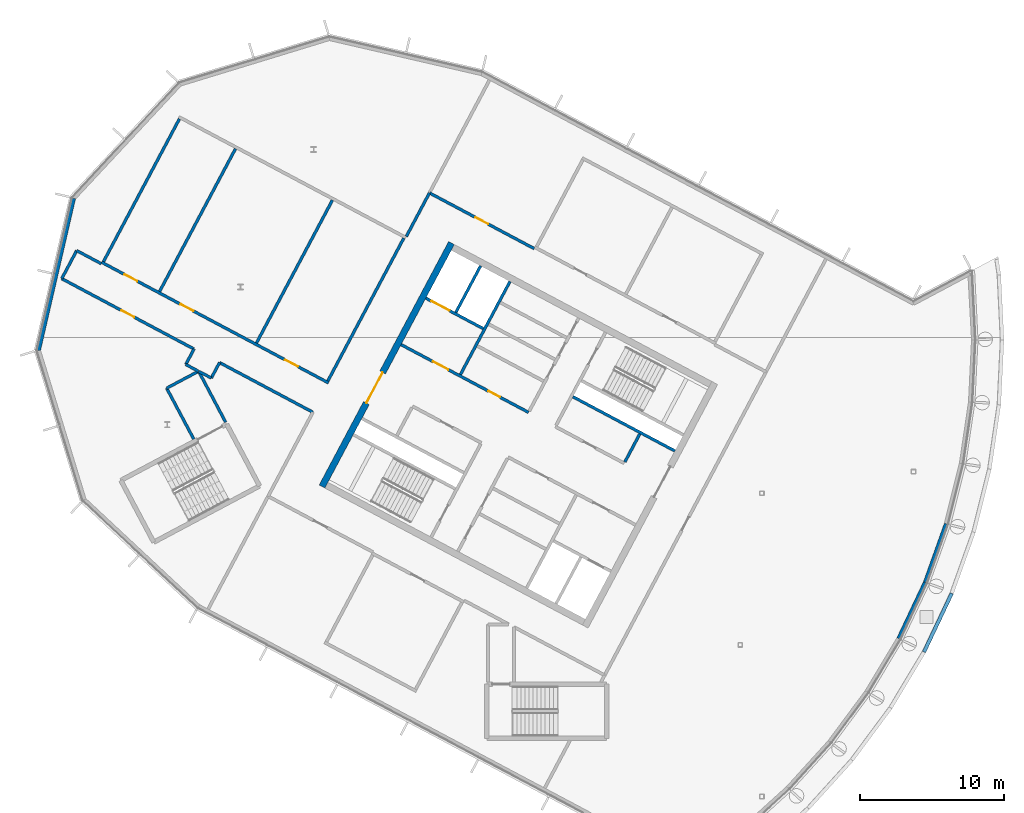
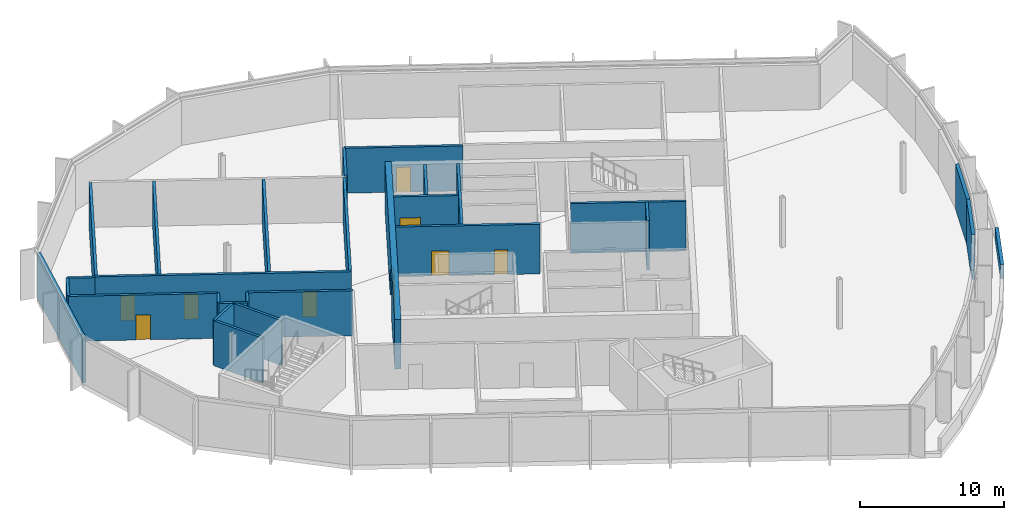
# One storey, part 7 of 15: 29 walls, 9 doors, 9 openings.
"""IFC4 building model written with IfcOpenShell, lengths in metres."""

import ifcopenshell
import ifcopenshell.guid

model = None  # the IFC model being written
_history = None  # IfcOwnerHistory: only IFC2X3 demands one
_inside = {}  # id of a spatial element -> (the spatial element, [elements in it])
_under = {}  # id of a project, library or spatial element -> (it, [spatial elements below it])
_declared = {}  # id of a project -> (the project, [libraries it declares])
_typed = {}  # id of a type object -> (the type object, [elements of that type])
_made_of = {}  # id of a material, layer set ... -> (it, [elements and type objects made of it])


def new_model(schema):
    """Start an empty IFC model of exactly this schema.

    Asked for "IFC4X3", IfcOpenShell would pick the latest addendum, in which some entities
    have other attributes; the version numbers below select the first issue.
    IFC2X3 requires an IfcOwnerHistory on every rooted entity: one is made here for all.
    """
    global model, _history
    if schema == "IFC4X3":
        model = ifcopenshell.file(schema_version=(4, 3, 0, 0))
    else:
        model = ifcopenshell.file(schema=schema)
    _inside.clear()
    _under.clear()
    _declared.clear()
    _typed.clear()
    _made_of.clear()
    _history = None
    if model.schema == "IFC2X3":
        org = make("IfcOrganization", Name="unknown")
        user = make(
            "IfcPersonAndOrganization",
            ThePerson=make("IfcPerson", FamilyName="unknown"),
            TheOrganization=org,
        )
        app = make(
            "IfcApplication",
            ApplicationDeveloper=org,
            Version="unknown",
            ApplicationFullName="unknown",
            ApplicationIdentifier="unknown",
        )
        _history = make(
            "IfcOwnerHistory",
            OwningUser=user,
            OwningApplication=app,
            ChangeAction="ADDED",
            CreationDate=0,
        )
    return model


def make(cls, **values):
    """One entity of the class cls with the attributes given. An attribute that is None is left unset."""
    return model.create_entity(
        cls, **{name: value for name, value in values.items() if value is not None}
    )


def rooted(cls, **values):
    """An entity with a GlobalId (a new one), such as an element, a storey or a relation."""
    return make(cls, GlobalId=ifcopenshell.guid.new(), OwnerHistory=_history, **values)


def si_unit(unit_type, name, prefix=None):
    """IfcSIUnit, for example si_unit("LENGTHUNIT", "METRE", prefix="MILLI")."""
    return make("IfcSIUnit", UnitType=unit_type, Prefix=prefix, Name=name)


def assignment(units):
    """IfcUnitAssignment: the units of a project."""
    return None if units is None else make("IfcUnitAssignment", Units=units)


def point(xyz):
    """IfcCartesianPoint."""
    return None if xyz is None else make("IfcCartesianPoint", Coordinates=xyz)


def direction(xyz):
    """IfcDirection."""
    return None if xyz is None else make("IfcDirection", DirectionRatios=xyz)


def frame(location, z_axis=None, x_axis=None):
    """IfcAxis2Placement3D, a coordinate frame: its origin and axes. An axis left out is left unset."""
    return make(
        "IfcAxis2Placement3D",
        Location=point(location),
        Axis=direction(z_axis),
        RefDirection=direction(x_axis),
    )


def frame_2d(location, x_axis=None):
    """IfcAxis2Placement2D, a coordinate frame in the plane: its origin and x axis."""
    return make(
        "IfcAxis2Placement2D", Location=point(location), RefDirection=direction(x_axis)
    )


def origin():
    """The frame at (0, 0, 0) with its axes left unset."""
    return frame((0.0, 0.0, 0.0))


def place(relative_to, where):
    """IfcLocalPlacement: puts the frame where relative to a parent placement (None: the world)."""
    return make(
        "IfcLocalPlacement", PlacementRelTo=relative_to, RelativePlacement=where
    )


def context(
    kind, dimensions, precision=None, world=None, true_north=None, identifier=None
):
    """IfcGeometricRepresentationContext, for example the 3D "Model" context."""
    return make(
        "IfcGeometricRepresentationContext",
        ContextIdentifier=identifier,
        ContextType=kind,
        CoordinateSpaceDimension=dimensions,
        Precision=precision,
        WorldCoordinateSystem=world,
        TrueNorth=true_north,
    )


def subcontext(parent, identifier, kind, view, scale=None):
    """IfcGeometricRepresentationSubContext, for example "Body" below "Model"."""
    return make(
        "IfcGeometricRepresentationSubContext",
        ContextIdentifier=identifier,
        ContextType=kind,
        ParentContext=parent,
        TargetScale=scale,
        TargetView=view,
    )


def project(units=None, contexts=None):
    """IfcProject with its units and contexts."""
    return rooted(
        "IfcProject",
        Name="project",
        RepresentationContexts=contexts,
        UnitsInContext=assignment(units),
    )


def spatial(cls, under=None, at=None, **own):
    """A site, building, storey or space (cls), placed at a placement, below another one or the project."""
    s = rooted(cls, ObjectPlacement=at, **own)
    if under is not None:
        _under.setdefault(under.id(), (under, []))[1].append(s)
    return s


def profile(cls, at=None, kind="AREA", **sizes):
    """A parametric profile (cls). Its sizes go by their IFC names, for example OverallWidth=200.0."""
    return make(cls, ProfileType=kind, Position=at, **sizes)


def rectangle(**sizes):
    """IfcRectangleProfileDef."""
    return profile("IfcRectangleProfileDef", **sizes)


def extrude(swept, where, along, depth):
    """IfcExtrudedAreaSolid: the profile swept, set in the frame where, extruded along a direction by depth."""
    return make(
        "IfcExtrudedAreaSolid",
        SweptArea=swept,
        Position=where,
        ExtrudedDirection=direction(along),
        Depth=depth,
    )


def shape(context_of_items, identifier, shape_type, items):
    """IfcShapeRepresentation: the items that make up one representation, for example the "Body"."""
    return make(
        "IfcShapeRepresentation",
        ContextOfItems=context_of_items,
        RepresentationIdentifier=identifier,
        RepresentationType=shape_type,
        Items=items,
    )


def material(Name=None, Category=None):
    """IfcMaterial."""
    return make("IfcMaterial", Name=Name, Category=Category)


def layer(
    of_material, thickness, ventilated=None, Name=None, Category=None, Priority=None
):
    """IfcMaterialLayer: one layer of a wall or slab, of a material (None: an air gap)."""
    return make(
        "IfcMaterialLayer",
        Material=of_material,
        LayerThickness=thickness,
        IsVentilated=ventilated,
        Name=Name,
        Category=Category,
        Priority=Priority,
    )


def layer_set(layers, Name=None):
    """IfcMaterialLayerSet."""
    return make("IfcMaterialLayerSet", MaterialLayers=layers, LayerSetName=Name)


def made_of(thing, what):
    """Note that an element or type object is made of a material, layer set ...; save() writes the relation."""
    if what is not None:
        _made_of.setdefault(what.id(), (what, []))[1].append(thing)
    return thing


def type_object(cls, material=None, **own):
    """A type object (cls), such as IfcWallType, which elements share."""
    return made_of(rooted(cls, **own), material)


def element(
    cls,
    number,
    at=None,
    inside=None,
    cuts=None,
    type_object=None,
    material=None,
    context=None,
    identifier="Body",
    shape_type=None,
    held_by="IfcProductDefinitionShape",
    body=None,
    shapes=None,
    **own,
):
    """One element of the class cls, such as IfcWall. Its Tag is "e" and its number.

    at: its placement. inside: the storey or other place that contains it. cuts: it is an
    opening in that element (IfcRelVoidsElement). A single representation is given by context,
    identifier, shape_type and body (its items); several are given by shapes. held_by: the class
    of the entity that holds the representations. save() writes the other relations.
    """
    e = rooted(cls, Tag="e%d" % number, ObjectPlacement=at, **own)
    if body is not None:
        shapes = [shape(context, identifier, shape_type, body)]
    if shapes is not None:
        e.Representation = make(held_by, Representations=shapes)
    if inside is not None:
        _inside.setdefault(inside.id(), (inside, []))[1].append(e)
    if cuts is not None:
        rooted(
            "IfcRelVoidsElement", RelatingBuildingElement=cuts, RelatedOpeningElement=e
        )
    if type_object is not None:
        _typed.setdefault(type_object.id(), (type_object, []))[1].append(e)
    return made_of(e, material)


def fill(opening, filler):
    """IfcRelFillsElement: the door or window that sits in an opening."""
    return rooted(
        "IfcRelFillsElement",
        RelatingOpeningElement=opening,
        RelatedBuildingElement=filler,
    )


def aggregate(whole, parts):
    """IfcRelAggregates: a whole, such as a stair, and the parts it consists of."""
    return rooted("IfcRelAggregates", RelatingObject=whole, RelatedObjects=parts)


def save(model, path):
    """Write the relations noted so far, then the file.

    IfcRelAggregates (storeys below a building ...), IfcRelContainedInSpatialStructure (elements
    in a storey), IfcRelDefinesByType, IfcRelAssociatesMaterial and IfcRelDeclares: one each for
    every whole, place, type object, material and project.
    """
    for whole, parts in _under.values():
        aggregate(whole, parts)
    for where, things in _inside.values():
        rooted(
            "IfcRelContainedInSpatialStructure",
            RelatedElements=things,
            RelatingStructure=where,
        )
    for kind, things in _typed.values():
        rooted("IfcRelDefinesByType", RelatedObjects=things, RelatingType=kind)
    for what, things in _made_of.values():
        rooted("IfcRelAssociatesMaterial", RelatedObjects=things, RelatingMaterial=what)
    for by, libraries in _declared.values():
        rooted("IfcRelDeclares", RelatingContext=by, RelatedDefinitions=libraries)
    model.write(path)


model = new_model("IFC4")

# Units and contexts
model_context = context("Model", 3, precision=1e-05, world=origin(), true_north=direction((0.0, 1.0)))
body_context = subcontext(model_context, "Body", "Model", "MODEL_VIEW")
ifc_project = project(units=[si_unit("LENGTHUNIT", "METRE"), si_unit("AREAUNIT", "SQUARE_METRE"), si_unit("VOLUMEUNIT", "CUBIC_METRE"), si_unit("PLANEANGLEUNIT", "RADIAN"), si_unit("MASSUNIT", "GRAM", prefix="KILO")], contexts=[model_context])

# Site, building, storey
site_placement = place(None, origin())
site = spatial("IfcSite", under=ifc_project, at=site_placement, CompositionType="ELEMENT")
building_placement = place(site_placement, origin())
building = spatial("IfcBuilding", under=site, at=building_placement, Name="Cormorant Relay Tower", CompositionType="ELEMENT")
storey_placement = place(building_placement, frame((0.0, 0.0, 332.39990234375)))
storey = spatial("IfcBuildingStorey", under=building, at=storey_placement, Name="C2", CompositionType="ELEMENT", Elevation=332.39990234375)

# Walls
ifc_material_1 = material(Name="Concrete 50 MPa", Category="concrete")
ifc_layer_1 = layer(ifc_material_1, 0.199951171875)
ifc_layer_set_1 = layer_set([ifc_layer_1], Name="Core shaft wall 200")
wall_type_1 = type_object("IfcWallType", Name="Core shaft wall 200", PredefinedType="SHEAR", material=ifc_layer_set_1)
wall_1_placement = place(storey_placement, frame((-18.959716796875, 14.611328125, 0.0), z_axis=(0.0, 0.0, 1.0), x_axis=(-0.4694473164, -0.882960484464, 0.0)))
element("IfcWall", 1, at=wall_1_placement, inside=storey, type_object=wall_type_1, Name="C2 core A shaft wall", PredefinedType="SHEAR", context=body_context, shape_type="SweptSolid", body=[
    extrude(rectangle(XDim=2.199951171875, YDim=0.199951171875, at=frame_2d((1.10009765625, 0.0))), origin(), (0.0, 0.0, 1.0), 4.2001953125),
])
wall_2_placement = place(storey_placement, frame((-27.955322265625, 25.170654296875, 0.0), z_axis=(0.0, 0.0, 1.0), x_axis=(-0.469480409012, -0.88294288918, 0.0)))
element("IfcWall", 2, at=wall_2_placement, inside=storey, type_object=wall_type_1, Name="C2 core A shaft wall", PredefinedType="SHEAR", context=body_context, shape_type="SweptSolid", body=[
    extrude(rectangle(XDim=7.300048828125, YDim=0.199951171875, at=frame_2d((3.64990234375, 0.0))), origin(), (0.0, 0.0, 1.0), 4.2001953125),
])
wall_3_placement = place(storey_placement, frame((-29.986083984375, 26.250244140625, 0.0), z_axis=(0.0, 0.0, 1.0), x_axis=(-0.469494272526, -0.882935517501, 0.0)))
element("IfcWall", 3, at=wall_3_placement, inside=storey, type_object=wall_type_1, Name="C2 core A shaft wall", PredefinedType="SHEAR", context=body_context, shape_type="SweptSolid", body=[
    extrude(rectangle(XDim=3.64990234375, YDim=0.199951171875, at=frame_2d((1.824951171875, 0.0))), origin(), (0.0, 0.0, 1.0), 4.2001953125),
])

# Wall, opening, door
wall_4_placement = place(storey_placement, frame((-29.80419921875, 21.906494140625, 0.0), z_axis=(0.0, 0.0, 1.0), x_axis=(-0.882960433586, 0.469447412093, 0.0)))
wall_4 = element("IfcWall", 4, at=wall_4_placement, inside=storey, type_object=wall_type_1, Name="C2 core A shaft wall", PredefinedType="SHEAR", context=body_context, shape_type="SweptSolid", body=[
    extrude(rectangle(XDim=4.5, YDim=0.199951171875, at=frame_2d((2.25, 0.0))), origin(), (0.0, 0.0, 1.0), 4.2001953125),
])
opening_1_placement = place(wall_4_placement, frame((2.64990234375, 0.0, 0.0)))
opening_1 = element("IfcOpeningElement", 5, at=opening_1_placement, cuts=wall_4, Name="Opening LD3-017", PredefinedType="OPENING", context=body_context, shape_type="SweptSolid", body=[
    extrude(rectangle(XDim=1.39990234375, YDim=2.39990234375, at=frame_2d((0.699951171875, 1.199951171875))), frame((0.0, 0.10986328125, 0.0), z_axis=(0.0, -1.0, 0.0), x_axis=(1.0, 0.0, 0.0)), (0.0, 0.0, 1.0), 0.219970703125),
])
ifc_material_2 = material(Name="Stainless steel 316", Category="steel")
door_type_1 = type_object("IfcDoorType", Name="Lift landing door 1400x2400", OperationType="DOUBLE_DOOR_SLIDING", PredefinedType="DOOR", material=ifc_material_2)
door_1_placement = place(opening_1_placement, origin())
door_1 = element("IfcDoor", 6, at=door_1_placement, inside=storey, type_object=door_type_1, Name="SV1 landing door", OperationType="DOUBLE_DOOR_SLIDING", OverallHeight=2.39990234375, OverallWidth=1.39990234375, PredefinedType="DOOR", context=body_context, shape_type="SweptSolid", body=[
    extrude(rectangle(XDim=1.39990234375, YDim=2.39990234375, at=frame_2d((0.699951171875, 1.199951171875))), frame((0.0, 0.02490234375, 0.0), z_axis=(0.0, -1.0, 0.0), x_axis=(1.0, 0.0, 0.0)), (0.0, 0.0, 1.0), 0.050048828125),
])
fill(opening_1, door_1)

# Wall
wall_5_placement = place(storey_placement, frame((-16.52880859375, 13.43212890625, 0.0), z_axis=(0.0, 0.0, 1.0), x_axis=(-0.88295287151, 0.469461634952, 0.0)))
element("IfcWall", 7, at=wall_5_placement, inside=storey, type_object=wall_type_1, Name="C2 core A shaft wall", PredefinedType="SHEAR", context=body_context, shape_type="SweptSolid", body=[
    extrude(rectangle(XDim=7.999755859375, YDim=0.199951171875, at=frame_2d((4.0, 0.0))), origin(), (0.0, 0.0, 1.0), 4.2001953125),
])

# Wall, openings, doors
wall_6_placement = place(storey_placement, frame((-26.66162109375, 16.1015625, 0.0), z_axis=(0.0, 0.0, 1.0), x_axis=(-0.882940221191, 0.469485426614, 0.0)))
wall_6 = element("IfcWall", 8, at=wall_6_placement, inside=storey, type_object=wall_type_1, Name="C2 core A shaft wall", PredefinedType="SHEAR", context=body_context, shape_type="SweptSolid", body=[
    extrude(rectangle(XDim=10.0, YDim=0.199951171875, at=frame_2d((5.0, 0.0))), origin(), (0.0, 0.0, 1.0), 4.2001953125),
])
opening_2_placement = place(wall_6_placement, frame((6.300048828125, 0.0, 0.0)))
opening_2 = element("IfcOpeningElement", 9, at=opening_2_placement, cuts=wall_6, Name="Opening CDC-041", PredefinedType="OPENING", context=body_context, shape_type="SweptSolid", body=[
    extrude(rectangle(XDim=1.199951171875, YDim=2.10009765625, at=frame_2d((0.60009765625, 1.050048828125))), frame((0.0, 0.10986328125, 0.0), z_axis=(0.0, -1.0, 0.0), x_axis=(1.0, 0.0, 0.0)), (0.0, 0.0, 1.0), 0.219970703125),
])
opening_3_placement = place(wall_6_placement, frame((2.25, 0.0, 0.0)))
opening_3 = element("IfcOpeningElement", 10, at=opening_3_placement, cuts=wall_6, Name="Opening CDD-366", PredefinedType="OPENING", context=body_context, shape_type="SweptSolid", body=[
    extrude(rectangle(XDim=0.89990234375, YDim=2.10009765625, at=frame_2d((0.449951171875, 1.050048828125))), frame((0.0, 0.10986328125, 0.0), z_axis=(0.0, -1.0, 0.0), x_axis=(1.0, 0.0, 0.0)), (0.0, 0.0, 1.0), 0.219970703125),
])
ifc_material_3 = material(Name="Steel fire door", Category="steel")
door_type_2 = type_object("IfcDoorType", Name="Core lobby door 1200x2100", OperationType="SINGLE_SWING_LEFT", PredefinedType="DOOR", material=ifc_material_3)
door_2_placement = place(opening_2_placement, origin())
door_2 = element("IfcDoor", 11, at=door_2_placement, inside=storey, type_object=door_type_2, Name="Core lobby door 1200x2100", OperationType="SINGLE_SWING_LEFT", OverallHeight=2.10009765625, OverallWidth=1.199951171875, PredefinedType="DOOR", context=body_context, shape_type="SweptSolid", body=[
    extrude(rectangle(XDim=1.199951171875, YDim=2.10009765625, at=frame_2d((0.60009765625, 1.050048828125))), frame((0.0, 0.02490234375, 0.0), z_axis=(0.0, -1.0, 0.0), x_axis=(1.0, 0.0, 0.0)), (0.0, 0.0, 1.0), 0.050048828125),
])
fill(opening_2, door_2)
ifc_material_4 = material(Name="Steel fire door", Category="steel")
door_type_3 = type_object("IfcDoorType", Name="Core room door 900x2100", OperationType="SINGLE_SWING_LEFT", PredefinedType="DOOR", material=ifc_material_4)
door_3_placement = place(opening_3_placement, origin())
door_3 = element("IfcDoor", 12, at=door_3_placement, inside=storey, type_object=door_type_3, Name="Core room door 900x2100", OperationType="SINGLE_SWING_LEFT", OverallHeight=2.10009765625, OverallWidth=0.89990234375, PredefinedType="DOOR", context=body_context, shape_type="SweptSolid", body=[
    extrude(rectangle(XDim=0.89990234375, YDim=2.10009765625, at=frame_2d((0.449951171875, 1.050048828125))), frame((0.0, 0.02490234375, 0.0), z_axis=(0.0, -1.0, 0.0), x_axis=(1.0, 0.0, 0.0)), (0.0, 0.0, 1.0), 0.050048828125),
])
fill(opening_3, door_3)

# Wall, opening, door
ifc_material_5 = material(Name="Concrete 50 MPa", Category="concrete")
ifc_layer_2 = layer(ifc_material_5, 0.449951171875)
ifc_layer_set_2 = layer_set([ifc_layer_2], Name="Core wall 450")
wall_type_2 = type_object("IfcWallType", Name="Core wall 450", PredefinedType="SHEAR", material=ifc_layer_set_2)
wall_7_placement = place(storey_placement, frame((-32.00439453125, 27.8330078125, 0.0), z_axis=(0.0, 0.0, 1.0), x_axis=(-0.469467968382, -0.882949504028, 0.0)))
wall_7 = element("IfcWall", 13, at=wall_7_placement, inside=storey, type_object=wall_type_2, Name="C2 core A wall", PredefinedType="SHEAR", context=body_context, shape_type="SweptSolid", body=[
    extrude(rectangle(XDim=19.099853515625, YDim=0.449951171875, at=frame_2d((9.5498046875, 0.0))), origin(), (0.0, 0.0, 1.0), 4.2001953125),
])
opening_4_placement = place(wall_7_placement, frame((10.14990234375, 0.0, 0.0)))
opening_4 = element("IfcOpeningElement", 14, at=opening_4_placement, cuts=wall_7, Name="Opening CDA-059", PredefinedType="OPENING", context=body_context, shape_type="SweptSolid", body=[
    extrude(rectangle(XDim=2.39990234375, YDim=2.39990234375, at=frame_2d((1.199951171875, 1.199951171875))), frame((0.0, 0.23486328125, 0.0), z_axis=(0.0, -1.0, 0.0), x_axis=(1.0, 0.0, 0.0)), (0.0, 0.0, 1.0), 0.469970703125),
])
ifc_material_6 = material(Name="Steel fire door", Category="steel")
door_type_4 = type_object("IfcDoorType", Name="Core lobby door 2400x2400", OperationType="DOUBLE_DOOR_SINGLE_SWING", PredefinedType="DOOR", material=ifc_material_6)
door_4_placement = place(opening_4_placement, origin())
door_4 = element("IfcDoor", 15, at=door_4_placement, inside=storey, type_object=door_type_4, Name="Core lobby door 2400x2400", OperationType="DOUBLE_DOOR_SINGLE_SWING", OverallHeight=2.39990234375, OverallWidth=2.39990234375, PredefinedType="DOOR", context=body_context, shape_type="SweptSolid", body=[
    extrude(rectangle(XDim=2.39990234375, YDim=2.39990234375, at=frame_2d((1.199951171875, 1.199951171875))), frame((0.0, 0.02490234375, 0.0), z_axis=(0.0, -1.0, 0.0), x_axis=(1.0, 0.0, 0.0)), (0.0, 0.0, 1.0), 0.050048828125),
])
fill(opening_4, door_4)

# Wall, openings, doors
ifc_material_7 = material(Name="Concrete 30 MPa block wall", Category="concrete")
ifc_layer_3 = layer(ifc_material_7, 0.199951171875)
ifc_layer_set_3 = layer_set([ifc_layer_3], Name="Crown plant room wall 200")
wall_type_3 = type_object("IfcWallType", Name="Crown plant room wall 200", PredefinedType="PARTITIONING", material=ifc_layer_set_3)
wall_8_placement = place(storey_placement, frame((-40.52294921875, 18.148681640625, 0.0), z_axis=(0.0, 0.0, 1.0), x_axis=(-0.882946425434, 0.469473758387, 0.0)))
wall_8 = element("IfcWall", 16, at=wall_8_placement, inside=storey, type_object=wall_type_3, Name="Plant room wall", PredefinedType="PARTITIONING", context=body_context, shape_type="SweptSolid", body=[
    extrude(rectangle(XDim=17.800048828125, YDim=0.199951171875, at=frame_2d((8.89990234375, 0.0))), origin(), (0.0, 0.0, 1.0), 3.7998046875),
])
opening_5_placement = place(wall_8_placement, frame((2.39990234375, 0.0, 0.0)))
opening_5 = element("IfcOpeningElement", 17, at=opening_5_placement, cuts=wall_8, Name="Opening CRD1-003", PredefinedType="OPENING", context=body_context, shape_type="SweptSolid", body=[
    extrude(rectangle(XDim=1.0, YDim=2.10009765625, at=frame_2d((0.5, 1.050048828125))), frame((0.0, 0.10986328125, 0.0), z_axis=(0.0, -1.0, 0.0), x_axis=(1.0, 0.0, 0.0)), (0.0, 0.0, 1.0), 0.219970703125),
])
opening_6_placement = place(wall_8_placement, frame((10.60009765625, 0.0, 0.0)))
opening_6 = element("IfcOpeningElement", 18, at=opening_6_placement, cuts=wall_8, Name="Opening CRD1-004", PredefinedType="OPENING", context=body_context, shape_type="SweptSolid", body=[
    extrude(rectangle(XDim=1.0, YDim=2.10009765625, at=frame_2d((0.5, 1.050048828125))), frame((0.0, 0.10986328125, 0.0), z_axis=(0.0, -1.0, 0.0), x_axis=(1.0, 0.0, 0.0)), (0.0, 0.0, 1.0), 0.219970703125),
])
opening_7_placement = place(wall_8_placement, frame((15.0, 0.0, 0.0)))
opening_7 = element("IfcOpeningElement", 19, at=opening_7_placement, cuts=wall_8, Name="Opening CRD1-005", PredefinedType="OPENING", context=body_context, shape_type="SweptSolid", body=[
    extrude(rectangle(XDim=1.0, YDim=2.10009765625, at=frame_2d((0.5, 1.050048828125))), frame((0.0, 0.10986328125, 0.0), z_axis=(0.0, -1.0, 0.0), x_axis=(1.0, 0.0, 0.0)), (0.0, 0.0, 1.0), 0.219970703125),
])
ifc_material_8 = material(Name="Galvanised sheet steel ASTM A653 framed door leaf", Category="steel")
door_type_5 = type_object("IfcDoorType", Name="Crown door single 1000", OperationType="SINGLE_SWING_LEFT", PredefinedType="DOOR", material=ifc_material_8)
door_5_placement = place(opening_5_placement, frame((1.0, 0.0, 0.0), z_axis=(0.0, 0.0, 1.0), x_axis=(-1.0, 0.0, 0.0)))
door_5 = element("IfcDoor", 20, at=door_5_placement, inside=storey, type_object=door_type_5, Name="Carrier equipment room door", OperationType="SINGLE_SWING_RIGHT", OverallHeight=2.10009765625, OverallWidth=1.0, PredefinedType="DOOR", context=body_context, shape_type="SweptSolid", body=[
    extrude(rectangle(XDim=1.0, YDim=2.10009765625, at=frame_2d((0.5, 1.050048828125))), frame((0.0, 0.02490234375, 0.0), z_axis=(0.0, -1.0, 0.0), x_axis=(1.0, 0.0, 0.0)), (0.0, 0.0, 1.0), 0.050048828125),
])
fill(opening_5, door_5)
door_6_placement = place(opening_6_placement, frame((1.0, 0.0, 0.0), z_axis=(0.0, 0.0, 1.0), x_axis=(-1.0, 0.0, 0.0)))
door_6 = element("IfcDoor", 21, at=door_6_placement, inside=storey, type_object=door_type_5, Name="Telecom equipment room door", OperationType="SINGLE_SWING_RIGHT", OverallHeight=2.10009765625, OverallWidth=1.0, PredefinedType="DOOR", context=body_context, shape_type="SweptSolid", body=[
    extrude(rectangle(XDim=1.0, YDim=2.10009765625, at=frame_2d((0.5, 1.050048828125))), frame((0.0, 0.02490234375, 0.0), z_axis=(0.0, -1.0, 0.0), x_axis=(1.0, 0.0, 0.0)), (0.0, 0.0, 1.0), 0.050048828125),
])
fill(opening_6, door_6)
door_7_placement = place(opening_7_placement, frame((1.0, 0.0, 0.0), z_axis=(0.0, 0.0, 1.0), x_axis=(-1.0, 0.0, 0.0)))
door_7 = element("IfcDoor", 22, at=door_7_placement, inside=storey, type_object=door_type_5, Name="Radio frequency room door", OperationType="SINGLE_SWING_RIGHT", OverallHeight=2.10009765625, OverallWidth=1.0, PredefinedType="DOOR", context=body_context, shape_type="SweptSolid", body=[
    extrude(rectangle(XDim=1.0, YDim=2.10009765625, at=frame_2d((0.5, 1.050048828125))), frame((0.0, 0.02490234375, 0.0), z_axis=(0.0, -1.0, 0.0), x_axis=(1.0, 0.0, 0.0)), (0.0, 0.0, 1.0), 0.050048828125),
])
fill(opening_7, door_7)

# Walls
for number, where, z_axis, x_axis, name in (
    (23, (-35.306396484375, 28.173095703125, 0.0), (0.0, 0.0, 1.0), (-0.469447393298, -0.882960443579, 0.0), "Plant room wall"),
    (24, (-40.250732421875, 30.802001953125, 0.0), (0.0, 0.0, 1.0), (-0.469473423128, -0.882946603695, 0.0), "Plant room wall"),
):
    element("IfcWall", number, at=place(storey_placement, frame(where, z_axis=z_axis, x_axis=x_axis)), inside=storey, type_object=wall_type_3, Name=name, PredefinedType="PARTITIONING", context=body_context, shape_type="SweptSolid", body=[
        extrude(rectangle(XDim=11.199951171875, YDim=0.199951171875, at=frame_2d((5.60009765625, 0.0))), origin(), (0.0, 0.0, 1.0), 3.7998046875),
    ])
for number, where, z_axis, x_axis, name in (
    (25, (-46.961181640625, 34.3701171875, 0.0), (0.0, 0.0, 1.0), (-0.46946438738, -0.882951408052, 0.0), "Plant room wall"),
    (26, (-50.84619140625, 36.435791015625, 0.0), (0.0, 0.0, 1.0), (-0.46946438738, -0.882951408052, 0.0), "Plant room wall"),
):
    element("IfcWall", number, at=place(storey_placement, frame(where, z_axis=z_axis, x_axis=x_axis)), inside=storey, type_object=wall_type_3, Name=name, PredefinedType="PARTITIONING", context=body_context, shape_type="SweptSolid", body=[
        extrude(rectangle(XDim=11.2001953125, YDim=0.199951171875, at=frame_2d((5.60009765625, 0.0))), origin(), (0.0, 0.0, 1.0), 3.7998046875),
    ])
wall_9_placement = place(storey_placement, frame((-57.964111328125, 27.30908203125, 0.0), z_axis=(0.0, 0.0, 1.0), x_axis=(0.882957622595, -0.46945269911, 0.0)))
element("IfcWall", 27, at=wall_9_placement, inside=storey, type_object=wall_type_3, Name="Plant room wall", PredefinedType="PARTITIONING", context=body_context, shape_type="SweptSolid", body=[
    extrude(rectangle(XDim=1.919921875, YDim=0.199951171875, at=frame_2d((0.9599609375, 0.0))), origin(), (0.0, 0.0, 1.0), 3.7998046875),
])
wall_10_placement = place(storey_placement, frame((-35.13330078125, 28.284912109375, 0.0), z_axis=(0.0, 0.0, 1.0), x_axis=(0.469431829014, 0.882968718533, 0.0)))
element("IfcWall", 28, at=wall_10_placement, inside=storey, type_object=wall_type_3, Name="Plant room wall", PredefinedType="PARTITIONING", context=body_context, shape_type="SweptSolid", body=[
    extrude(rectangle(XDim=3.419921875, YDim=0.199951171875, at=frame_2d((1.7099609375, 0.0))), origin(), (0.0, 0.0, 1.0), 3.7998046875),
])
wall_11_placement = place(storey_placement, frame((-41.604736328125, 16.114501953125, 0.0), z_axis=(0.0, 0.0, 1.0), x_axis=(-0.88269432005, 0.469947590006, 0.0)))
element("IfcWall", 29, at=wall_11_placement, inside=storey, type_object=wall_type_3, Name="Plant room wall", PredefinedType="PARTITIONING", context=body_context, shape_type="SweptSolid", body=[
    extrude(rectangle(XDim=7.31982421875, YDim=0.199951171875, at=frame_2d((3.659912109375, 0.0))), origin(), (0.0, 0.0, 1.0), 3.7998046875),
])
wall_12_placement = place(storey_placement, frame((-48.06591796875, 19.554443359375, 0.0), z_axis=(0.0, 0.0, 1.0), x_axis=(-0.472372077366, -0.881399240143, 0.0)))
element("IfcWall", 30, at=wall_12_placement, inside=storey, type_object=wall_type_3, Name="Plant room wall", PredefinedType="PARTITIONING", context=body_context, shape_type="SweptSolid", body=[
    extrude(rectangle(XDim=1.214111328125, YDim=0.199951171875, at=frame_2d((0.60693359375, 0.0))), origin(), (0.0, 0.0, 1.0), 3.7998046875),
])
wall_13_placement = place(storey_placement, frame((-48.639404296875, 18.484375, 0.0), z_axis=(0.0, 0.0, 1.0), x_axis=(-0.883070878111, 0.469239623467, 0.0)))
element("IfcWall", 31, at=wall_13_placement, inside=storey, type_object=wall_type_3, Name="Plant room wall", PredefinedType="PARTITIONING", context=body_context, shape_type="SweptSolid", body=[
    extrude(rectangle(XDim=0.987060546875, YDim=0.199951171875, at=frame_2d((0.49365234375, 0.0))), origin(), (0.0, 0.0, 1.0), 3.7998046875),
])
wall_14_placement = place(storey_placement, frame((-49.510986328125, 18.947509765625, 0.0), z_axis=(0.0, 0.0, 1.0), x_axis=(0.467853974405, -0.883805781059, 0.0)))
element("IfcWall", 32, at=wall_14_placement, inside=storey, type_object=wall_type_3, Name="Plant room wall", PredefinedType="PARTITIONING", context=body_context, shape_type="SweptSolid", body=[
    extrude(rectangle(XDim=3.98876953125, YDim=0.199951171875, at=frame_2d((1.994384765625, 0.0))), origin(), (0.0, 0.0, 1.0), 3.7998046875),
])
wall_15_placement = place(storey_placement, frame((-49.851806640625, 14.248291015625, 0.0), z_axis=(0.0, 0.0, 1.0), x_axis=(-0.469510728702, 0.882926766858, 0.0)))
element("IfcWall", 33, at=wall_15_placement, inside=storey, type_object=wall_type_3, Name="Plant room wall", PredefinedType="PARTITIONING", context=body_context, shape_type="SweptSolid", body=[
    extrude(rectangle(XDim=3.999755859375, YDim=0.199951171875, at=frame_2d((2.0, 0.0))), origin(), (0.0, 0.0, 1.0), 3.7998046875),
])
wall_16_placement = place(storey_placement, frame((-51.729736328125, 17.77978515625, 0.0), z_axis=(0.0, 0.0, 1.0), x_axis=(0.882878437933, 0.469601601182, 0.0)))
element("IfcWall", 34, at=wall_16_placement, inside=storey, type_object=wall_type_3, Name="Plant room wall", PredefinedType="PARTITIONING", context=body_context, shape_type="SweptSolid", body=[
    extrude(rectangle(XDim=2.492431640625, YDim=0.199951171875, at=frame_2d((1.24609375, 0.0))), origin(), (0.0, 0.0, 1.0), 3.7998046875),
])
wall_17_placement = place(storey_placement, frame((-49.529296875, 18.9501953125, 0.0), z_axis=(0.0, 0.0, 1.0), x_axis=(-0.880014039158, 0.474947671733, 0.0)))
element("IfcWall", 35, at=wall_17_placement, inside=storey, type_object=wall_type_3, Name="Plant room wall", PredefinedType="PARTITIONING", context=body_context, shape_type="SweptSolid", body=[
    extrude(rectangle(XDim=0.99560546875, YDim=0.199951171875, at=frame_2d((0.497802734375, 0.0))), origin(), (0.0, 0.0, 1.0), 3.7998046875),
])
wall_18_placement = place(storey_placement, frame((-50.405517578125, 19.423095703125, 0.0), z_axis=(0.0, 0.0, 1.0), x_axis=(0.469425611223, 0.882972024204, 0.0)))
element("IfcWall", 36, at=wall_18_placement, inside=storey, type_object=wall_type_3, Name="Plant room wall", PredefinedType="PARTITIONING", context=body_context, shape_type="SweptSolid", body=[
    extrude(rectangle(XDim=1.210205078125, YDim=0.199951171875, at=frame_2d((0.60498046875, 0.0))), origin(), (0.0, 0.0, 1.0), 3.7998046875),
])

# Wall, opening, door
wall_19_placement = place(storey_placement, frame((-49.83740234375, 20.49169921875, 0.0), z_axis=(0.0, 0.0, 1.0), x_axis=(-0.882753842136, 0.469835773643, 0.0)))
wall_19 = element("IfcWall", 37, at=wall_19_placement, inside=storey, type_object=wall_type_3, Name="Plant room wall", PredefinedType="PARTITIONING", context=body_context, shape_type="SweptSolid", body=[
    extrude(rectangle(XDim=10.3759765625, YDim=0.199951171875, at=frame_2d((5.18798828125, 0.0))), origin(), (0.0, 0.0, 1.0), 3.7998046875),
])
opening_8_placement = place(wall_19_placement, frame((4.68798828125, 0.0, 0.0)))
opening_8 = element("IfcOpeningElement", 38, at=opening_8_placement, cuts=wall_19, Name="Opening CRD1-007", PredefinedType="OPENING", context=body_context, shape_type="SweptSolid", body=[
    extrude(rectangle(XDim=1.0, YDim=2.10009765625, at=frame_2d((0.5, 1.050048828125))), frame((0.0, 0.10986328125, 0.0), z_axis=(0.0, -1.0, 0.0), x_axis=(1.0, 0.0, 0.0)), (0.0, 0.0, 1.0), 0.219970703125),
])
door_8_placement = place(opening_8_placement, origin())
door_8 = element("IfcDoor", 39, at=door_8_placement, inside=storey, type_object=door_type_5, Name="Network operations centre door", OperationType="SINGLE_SWING_LEFT", OverallHeight=2.10009765625, OverallWidth=1.0, PredefinedType="DOOR", context=body_context, shape_type="SweptSolid", body=[
    extrude(rectangle(XDim=1.0, YDim=2.10009765625, at=frame_2d((0.5, 1.050048828125))), frame((0.0, 0.02490234375, 0.0), z_axis=(0.0, -1.0, 0.0), x_axis=(1.0, 0.0, 0.0)), (0.0, 0.0, 1.0), 0.050048828125),
])
fill(opening_8, door_8)

# Wall
wall_20_placement = place(storey_placement, frame((-58.996826171875, 25.36669921875, 0.0), z_axis=(0.0, 0.0, 1.0), x_axis=(0.4694473164, 0.882960484464, 0.0)))
element("IfcWall", 40, at=wall_20_placement, inside=storey, type_object=wall_type_3, Name="Plant room wall", PredefinedType="PARTITIONING", context=body_context, shape_type="SweptSolid", body=[
    extrude(rectangle(XDim=2.199951171875, YDim=0.199951171875, at=frame_2d((1.10009765625, 0.0))), origin(), (0.0, 0.0, 1.0), 3.7998046875),
])

# Wall, opening, door
wall_21_placement = place(storey_placement, frame((-33.52783203125, 31.3046875, 0.0), z_axis=(0.0, 0.0, 1.0), x_axis=(0.882943382095, -0.469479481996, 0.0)))
wall_21 = element("IfcWall", 41, at=wall_21_placement, inside=storey, type_object=wall_type_3, Name="Plant room wall", PredefinedType="PARTITIONING", context=body_context, shape_type="SweptSolid", body=[
    extrude(rectangle(XDim=8.219970703125, YDim=0.199951171875, at=frame_2d((4.10986328125, 0.0))), origin(), (0.0, 0.0, 1.0), 3.7998046875),
])
opening_9_placement = place(wall_21_placement, frame((3.610107421875, 0.0, 0.0)))
opening_9 = element("IfcOpeningElement", 42, at=opening_9_placement, cuts=wall_21, Name="Opening CRD1-010", PredefinedType="OPENING", context=body_context, shape_type="SweptSolid", body=[
    extrude(rectangle(XDim=1.0, YDim=2.10009765625, at=frame_2d((0.5, 1.050048828125))), frame((0.0, 0.10986328125, 0.0), z_axis=(0.0, -1.0, 0.0), x_axis=(1.0, 0.0, 0.0)), (0.0, 0.0, 1.0), 0.219970703125),
])
door_9_placement = place(opening_9_placement, origin())
door_9 = element("IfcDoor", 43, at=door_9_placement, inside=storey, type_object=door_type_5, Name="Antenna feeder room door", OperationType="SINGLE_SWING_RIGHT", OverallHeight=2.10009765625, OverallWidth=1.0, PredefinedType="DOOR", context=body_context, shape_type="SweptSolid", body=[
    extrude(rectangle(XDim=1.0, YDim=2.10009765625, at=frame_2d((0.5, 1.050048828125))), frame((0.0, 0.02490234375, 0.0), z_axis=(0.0, -1.0, 0.0), x_axis=(1.0, 0.0, 0.0)), (0.0, 0.0, 1.0), 0.050048828125),
])
fill(opening_9, door_9)

# Walls
ifc_material_9 = material(Name="Bronze cladding on Concrete 30 MPa block wall", Category="concrete")
ifc_layer_4 = layer(ifc_material_9, 0.25)
ifc_layer_set_4 = layer_set([ifc_layer_4], Name="Crown wall 250")
wall_type_4 = type_object("IfcWallType", Name="Crown wall 250", PredefinedType="STANDARD", material=ifc_layer_set_4)
wall_22_placement = place(storey_placement, frame((-60.590576171875, 20.397705078125, 0.0), z_axis=(0.0, 0.0, 1.0), x_axis=(0.224943678254, 0.97437176766, 0.0)))
element("IfcWall", 44, at=wall_22_placement, inside=storey, type_object=wall_type_4, Name="Crown wall C2", PredefinedType="STANDARD", context=body_context, shape_type="SweptSolid", body=[
    extrude(rectangle(XDim=10.803466796875, YDim=0.25, at=frame_2d((5.40185546875, 0.0))), origin(), (0.0, 0.0, 1.0), 3.7998046875),
])
for number, where, z_axis, x_axis, name in (
    (45, (2.2529296875, 8.389892578125, 0.0), (0.0, 0.0, 1.0), (-0.336871555887, -0.941550611935, 0.0), "Crown wall C2"),
    (46, (0.802490234375, 4.3359375, 0.0), (0.0, 0.0, 1.0), (-0.427601224257, -0.903967473427, 0.0), "Crown wall C2"),
):
    element("IfcWall", number, at=place(storey_placement, frame(where, z_axis=z_axis, x_axis=x_axis)), inside=storey, type_object=wall_type_4, Name=name, PredefinedType="STANDARD", context=body_context, shape_type="SweptSolid", body=[
        extrude(rectangle(XDim=4.3056640625, YDim=0.25, at=frame_2d((2.15283203125, 0.0))), origin(), (0.0, 0.0, 1.0), 3.7998046875),
    ])
ifc_material_10 = material(Name="Bronze cladding on Concrete 30 MPa block wall", Category="concrete")
ifc_layer_5 = layer(ifc_material_10, 0.25)
ifc_layer_set_5 = layer_set([ifc_layer_5], Name="Parapet 250")
wall_type_5 = type_object("IfcWallType", Name="Parapet 250", PredefinedType="PARAPET", material=ifc_layer_set_5)
wall_23_placement = place(storey_placement, frame((2.650146484375, 3.57080078125, 0.0), z_axis=(0.0, 0.0, 1.0), x_axis=(-0.427540787647, -0.903996059117, 0.0)))
element("IfcWall", 47, at=wall_23_placement, inside=storey, type_object=wall_type_5, Name="Terrace parapet C1", PredefinedType="PARAPET", context=body_context, shape_type="SweptSolid", body=[
    extrude(rectangle(XDim=4.501953125, YDim=0.25, at=frame_2d((2.2509765625, 0.0))), origin(), (0.0, 0.0, 1.0), 1.2001953125),
])

save(model, "model.ifc")
